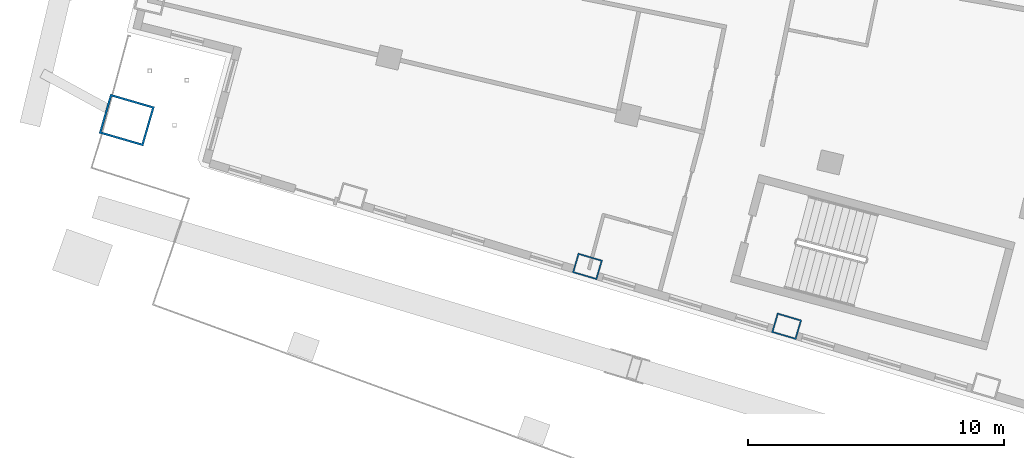
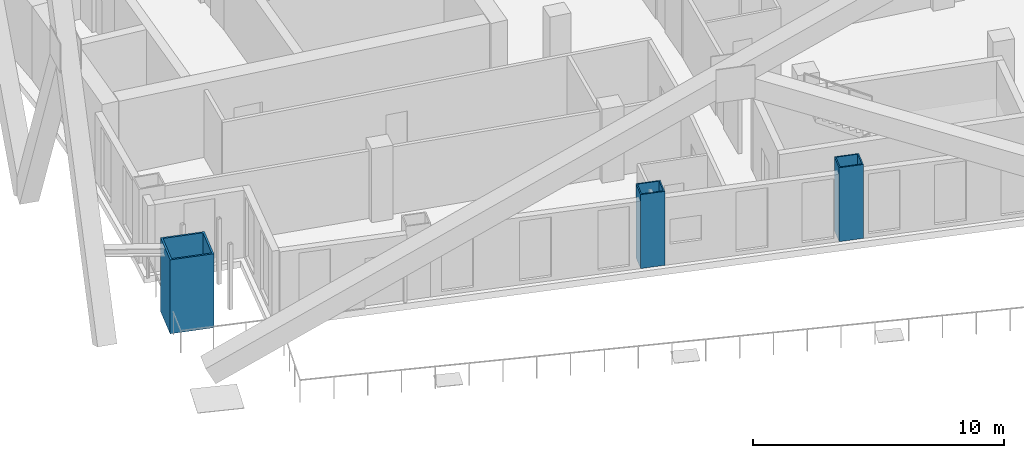
# One storey, part 1 of 20: 3 columns.
"""IFC4 building model written with IfcOpenShell, lengths in metres."""

from ifc_helpers import new_model, si_unit, direction, frame, origin, origin_2d, place, context, subcontext, project, spatial, hollow_rectangle, extrude, material, material_profile, profile_set, type_object, element, save


model = new_model("IFC4")

# Units and contexts
model_context = context("Model", 3, precision=1e-05, world=origin(), true_north=direction((0.0, 1.0)))
body_context = subcontext(model_context, "Body", "Model", "MODEL_VIEW")
ifc_project = project(units=[si_unit("LENGTHUNIT", "METRE"), si_unit("AREAUNIT", "SQUARE_METRE"), si_unit("VOLUMEUNIT", "CUBIC_METRE"), si_unit("PLANEANGLEUNIT", "RADIAN"), si_unit("MASSUNIT", "GRAM", prefix="KILO")], contexts=[model_context])

# Site, building, storey
site_placement = place(None, origin())
site = spatial("IfcSite", under=ifc_project, at=site_placement, CompositionType="ELEMENT")
building_placement = place(site_placement, origin())
building = spatial("IfcBuilding", under=site, at=building_placement, Name="Alderwake Tower", CompositionType="ELEMENT")
storey_placement = place(building_placement, frame((0.0, 0.0, 138.800048828125)))
storey = spatial("IfcBuildingStorey", under=building, at=storey_placement, Name="L33", CompositionType="ELEMENT", Elevation=138.800048828125)

# Columns
ifc_material_1 = material(Name="Steel ASTM A572 Grade 50 concrete filled C70/85", Category="concrete")
ifc_material_profile_1 = material_profile(ifc_material_1, hollow_rectangle(XDim=0.800048828125, YDim=1.0, WallThickness=0.054931640625, at=origin_2d()), Name="BOX 1000X800X55")
ifc_profile_set_1 = profile_set([ifc_material_profile_1], Name="Steel ASTM A572 Grade 50 concrete filled C70/85")
column_type_1 = type_object("IfcColumnType", Name="End column Z3", PredefinedType="COLUMN", material=ifc_profile_set_1)
for number, where, z_axis, x_axis, name in (
    (1, (31.080322265625, 28.27685546875, 0.0), (0.0, 0.0, 1.0), (0.282582549822, 0.959242984095, 0.0), "Column R02-C2"),
    (2, (38.8701171875, 25.938232421875, 0.0), (0.0, 0.0, 1.0), (0.282909001444, 0.959146754622, 0.0), "Column R02-C3"),
):
    element("IfcColumn", number, at=place(storey_placement, frame(where, z_axis=z_axis, x_axis=x_axis)), inside=storey, type_object=column_type_1, Name=name, PredefinedType="COLUMN", context=body_context, shape_type="SweptSolid", body=[
        extrude(hollow_rectangle(XDim=0.800048828125, YDim=1.0, WallThickness=0.054931640625, at=origin_2d()), origin(), (0.0, 0.0, 1.0), 3.599853515625),
    ])
ifc_material_2 = material(Name="Steel ASTM A572 Grade 50 concrete filled C70/85", Category="concrete")
ifc_material_profile_2 = material_profile(ifc_material_2, hollow_rectangle(XDim=1.60009765625, YDim=1.800048828125, WallThickness=0.080078125, at=origin_2d()), Name="BOX 1800X1600X80")
ifc_profile_set_2 = profile_set([ifc_material_profile_2], Name="Steel ASTM A572 Grade 50 concrete filled C70/85")
column_type_2 = type_object("IfcColumnType", Name="Mega column Z3", PredefinedType="COLUMN", material=ifc_profile_set_2)
column_placement = place(storey_placement, frame((13.06298828125, 34.00244140625, 0.0), z_axis=(0.0, 0.0, 1.0), x_axis=(0.278612301868, 0.960403657452, 0.0)))
element("IfcColumn", 3, at=column_placement, inside=storey, type_object=column_type_2, Name="Column R02-C0", PredefinedType="COLUMN", context=body_context, shape_type="SweptSolid", body=[
    extrude(hollow_rectangle(XDim=1.60009765625, YDim=1.800048828125, WallThickness=0.080078125, at=origin_2d()), origin(), (0.0, 0.0, 1.0), 3.599853515625),
])

save(model, "model.ifc")
